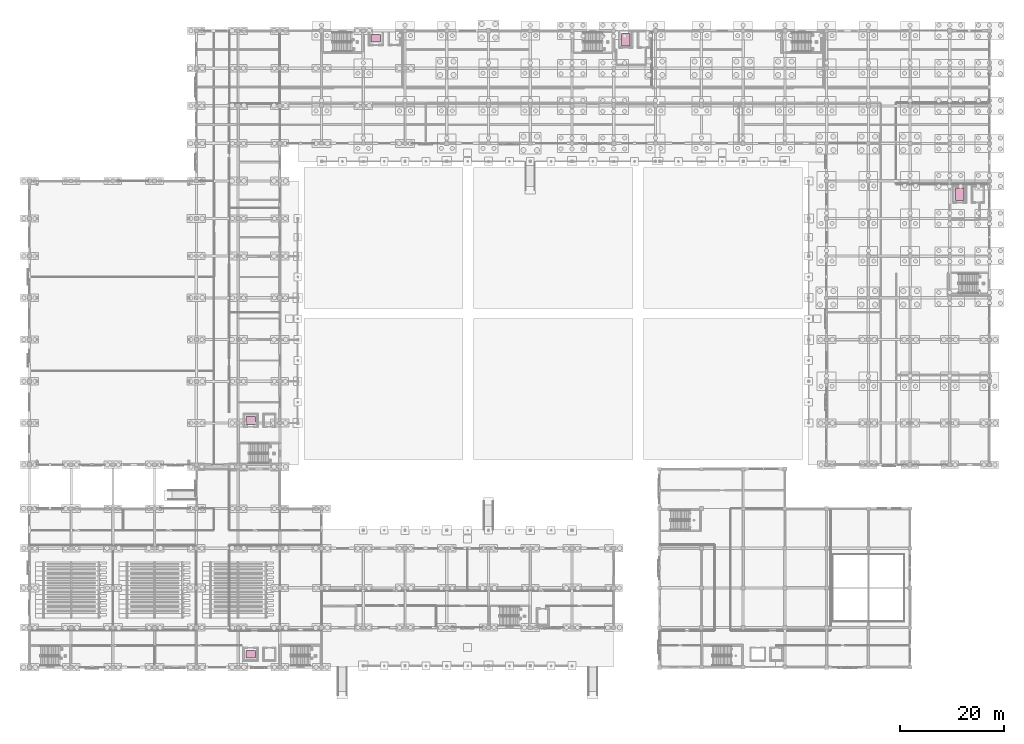
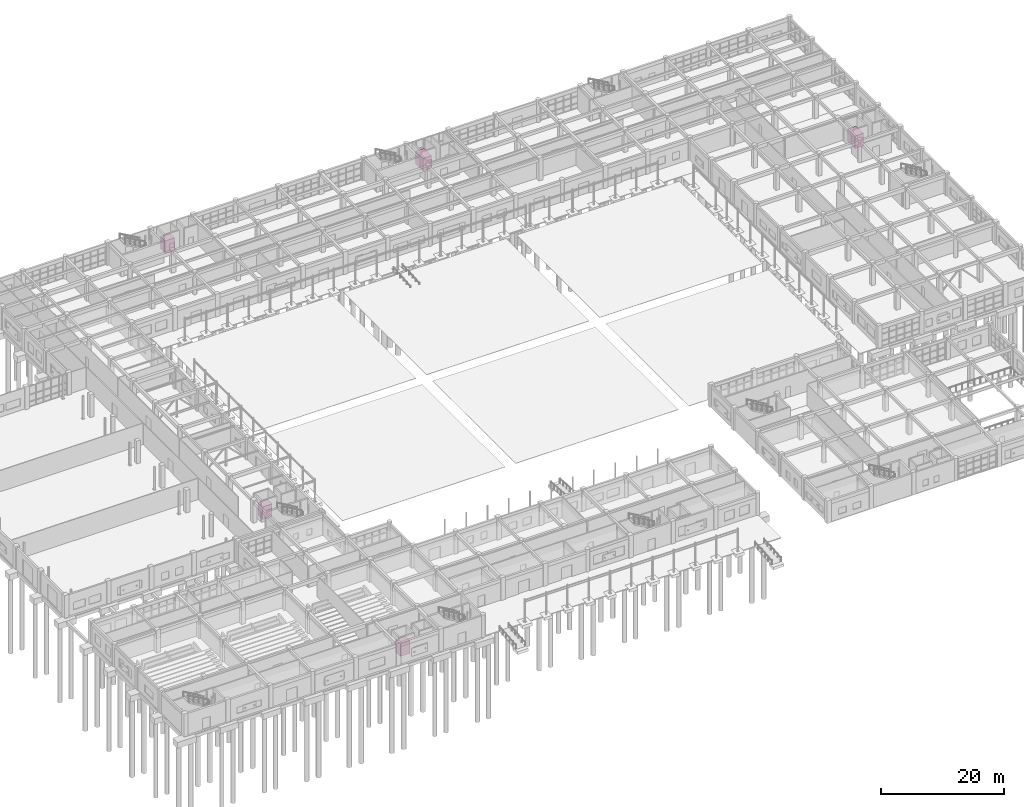
# One storey, part 166 of 166: 5 transport elements.
"""IFC4 building model written with IfcOpenShell, lengths in metres."""

from ifc_helpers import new_model, si_unit, direction, frame, origin, origin_2d, place, context, subcontext, project, spatial, rectangle, extrude, material, type_object, element, save


model = new_model("IFC4")

# Units and contexts
model_context = context("Model", 3, precision=1e-05, world=origin(), true_north=direction((0.0, 1.0)))
body_context = subcontext(model_context, "Body", "Model", "MODEL_VIEW")
ifc_project = project(units=[si_unit("LENGTHUNIT", "METRE"), si_unit("AREAUNIT", "SQUARE_METRE"), si_unit("VOLUMEUNIT", "CUBIC_METRE"), si_unit("PLANEANGLEUNIT", "RADIAN"), si_unit("MASSUNIT", "GRAM", prefix="KILO")], contexts=[model_context])

# Site, building, storey
site_placement = place(None, origin())
site = spatial("IfcSite", under=ifc_project, at=site_placement, CompositionType="ELEMENT")
building_placement = place(site_placement, origin())
building = spatial("IfcBuilding", under=site, at=building_placement, Name="Kharva Crest Polytechnic", CompositionType="ELEMENT")
storey_placement = place(building_placement, origin())
storey = spatial("IfcBuildingStorey", under=building, at=storey_placement, Name="L00", CompositionType="ELEMENT", Elevation=0.0)

# Transport elements
ifc_material = material(Name="Anodised aluminium", Category="aluminium")
transport_element_type_1 = type_object("IfcTransportElementType", Name="LFT-FF-1600X2400", PredefinedType="ELEVATOR", material=ifc_material)
for number, where, z_axis, x_axis, name in (
    (1, (114.300048828125, 120.300048828125, 0.0), (0.0, 0.0, 1.0), (1.0, 0.0, 0.0), "Firefighting Lift FL1"),
    (2, (178.300048828125, 90.64990234375, 0.0), (0.0, 0.0, 1.0), (1.0, 0.0, 0.0), "Firefighting Lift FL2"),
):
    element("IfcTransportElement", number, at=place(storey_placement, frame(where, z_axis=z_axis, x_axis=x_axis)), inside=storey, type_object=transport_element_type_1, Name=name, PredefinedType="ELEVATOR", context=body_context, shape_type="SweptSolid", body=[
        extrude(rectangle(XDim=1.60009765625, YDim=2.39990234375, at=origin_2d()), origin(), (0.0, 0.0, 1.0), 2.5),
    ])
transport_element_type_2 = type_object("IfcTransportElementType", Name="LFT-PAX-1800X1500", PredefinedType="ELEVATOR", material=ifc_material)
for number, where, z_axis, x_axis, name in (
    (3, (42.39990234375, 2.5, 0.0), (0.0, 0.0, 1.0), (1.0, 0.0, 0.0), "Passenger Lift PL1"),
    (4, (42.39990234375, 47.300048828125, 0.0), (0.0, 0.0, 1.0), (1.0, 0.0, 0.0), "Passenger Lift PL2"),
    (5, (66.39990234375, 120.550048828125, 0.0), (0.0, 0.0, 1.0), (1.0, 0.0, 0.0), "Passenger Lift PL3"),
):
    element("IfcTransportElement", number, at=place(storey_placement, frame(where, z_axis=z_axis, x_axis=x_axis)), inside=storey, type_object=transport_element_type_2, Name=name, PredefinedType="ELEVATOR", context=body_context, shape_type="SweptSolid", body=[
        extrude(rectangle(XDim=1.800048828125, YDim=1.5, at=origin_2d()), origin(), (0.0, 0.0, 1.0), 2.5),
    ])

save(model, "model.ifc")
